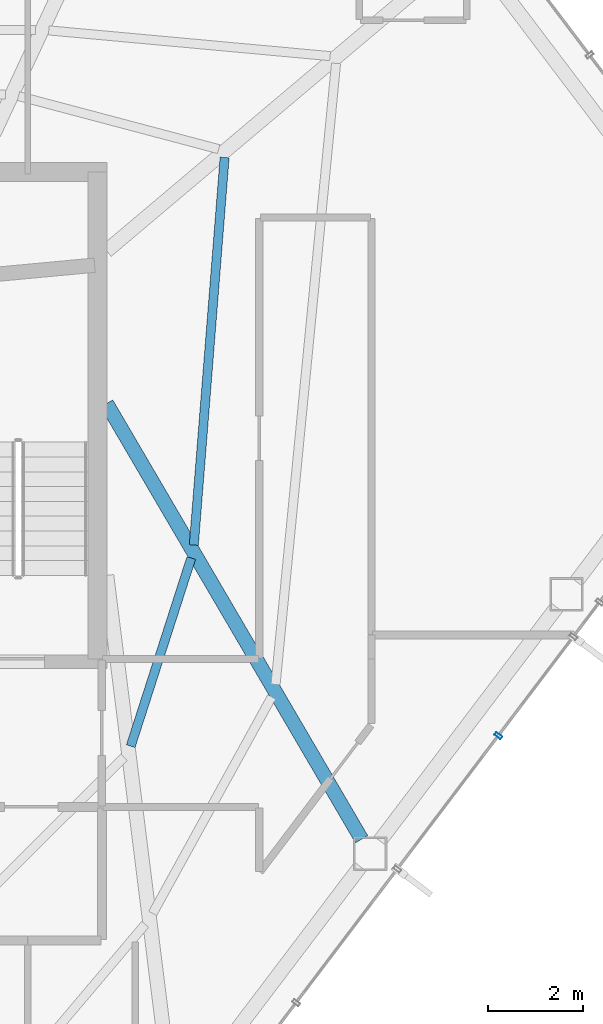
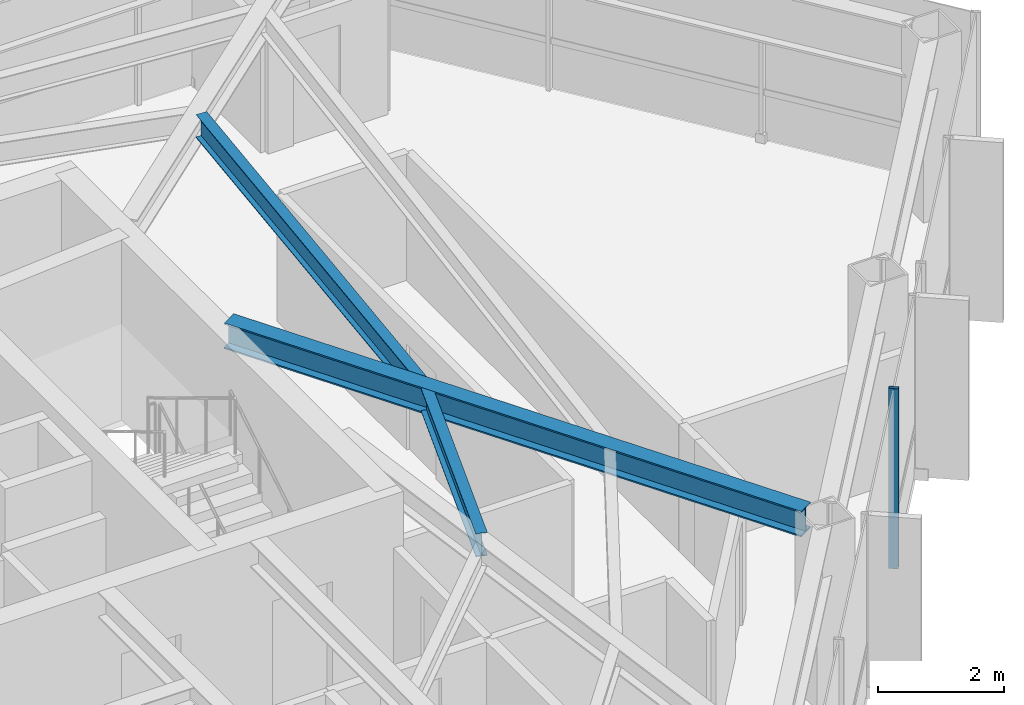
# One storey, part 19 of 28: 3 beams, 1 member, 1 element without a shape of its own.
"""IFC4 building model written with IfcOpenShell, lengths in metres."""

from ifc_helpers import new_model, si_unit, direction, frame, origin, origin_2d, place, context, subcontext, project, spatial, hollow_rectangle, i_section, extrude, material, layer, layer_set, material_profile, profile_set, type_object, element, aggregate, save


model = new_model("IFC4")

# Units and contexts
model_context = context("Model", 3, precision=1e-05, world=origin(), true_north=direction((0.0, 1.0)))
body_context = subcontext(model_context, "Body", "Model", "MODEL_VIEW")
ifc_project = project(units=[si_unit("LENGTHUNIT", "METRE"), si_unit("AREAUNIT", "SQUARE_METRE"), si_unit("VOLUMEUNIT", "CUBIC_METRE"), si_unit("PLANEANGLEUNIT", "RADIAN"), si_unit("MASSUNIT", "GRAM", prefix="KILO")], contexts=[model_context])

# Site, building, storey
site_placement = place(None, origin())
site = spatial("IfcSite", under=ifc_project, at=site_placement, CompositionType="ELEMENT")
building_placement = place(site_placement, origin())
building = spatial("IfcBuilding", under=site, at=building_placement, Name="Zarrinselat Tower", CompositionType="ELEMENT")
storey_placement = place(building_placement, frame((0.0, 0.0, 168.300048828125)))
storey = spatial("IfcBuildingStorey", under=building, at=storey_placement, Name="L41", CompositionType="ELEMENT", Elevation=168.300048828125)

# Beams
ifc_material_1 = material(Name="Steel S355J2", Category="steel")
ifc_material_profile_1 = material_profile(ifc_material_1, i_section(OverallWidth=0.300048828125, OverallDepth=0.5, WebThickness=0.014404296875, FlangeThickness=0.028076171875, at=origin_2d()), Name="HEB 500")
ifc_profile_set_1 = profile_set([ifc_material_profile_1], Name="Steel S355J2")
beam_type_1 = type_object("IfcBeamType", Name="BM-HEB500", PredefinedType="BEAM", material=ifc_profile_set_1)
beam_1_placement = place(storey_placement, frame((48.449951171875, 38.60009765625, 3.25), z_axis=(0.505160750965, -0.863025269436, 0.0), x_axis=(0.863025269436, 0.505160750965, 0.0)))
element("IfcBeam", 1, at=beam_1_placement, inside=storey, type_object=beam_type_1, Name="L41 Radial Primary Girder RG13", PredefinedType="BEAM", context=body_context, shape_type="SweptSolid", body=[
    extrude(i_section(OverallWidth=0.300048828125, OverallDepth=0.5, WebThickness=0.014404296875, FlangeThickness=0.028076171875, at=origin_2d()), origin(), (0.0, 0.0, 1.0), 10.576416015625),
])
ifc_material_2 = material(Name="Steel S355J2", Category="steel")
ifc_material_profile_2 = material_profile(ifc_material_2, i_section(OverallWidth=0.18994140625, OverallDepth=0.449951171875, WebThickness=0.009521484375, FlangeThickness=0.0146484375, at=origin_2d()), Name="IPE 450")
ifc_profile_set_2 = profile_set([ifc_material_profile_2], Name="Steel S355J2")
beam_type_2 = type_object("IfcBeamType", Name="BM-IPE450", PredefinedType="JOIST", material=ifc_profile_set_2)
beam_2_placement = place(storey_placement, frame((48.955810546875, 31.422119140625, 3.27490234375), z_axis=(0.306232509033, 0.951956748183, 0.0), x_axis=(-0.951956748183, 0.306232509033, 0.0)))
element("IfcBeam", 2, at=beam_2_placement, inside=storey, type_object=beam_type_2, Name="L41 Composite Floor Joist 4-2", PredefinedType="JOIST", context=body_context, shape_type="SweptSolid", body=[
    extrude(i_section(OverallWidth=0.18994140625, OverallDepth=0.449951171875, WebThickness=0.009521484375, FlangeThickness=0.0146484375, at=origin_2d()), origin(), (0.0, 0.0, 1.0), 4.14013671875),
])
beam_3_placement = place(storey_placement, frame((50.277587890625, 35.635986328125, 3.27490234375), z_axis=(0.079190056369, 0.99685953623, 0.0), x_axis=(-0.99685953623, 0.079190056369, 0.0)))
element("IfcBeam", 3, at=beam_3_placement, inside=storey, type_object=beam_type_2, Name="L41 Composite Floor Joist 5-2", PredefinedType="JOIST", context=body_context, shape_type="SweptSolid", body=[
    extrude(i_section(OverallWidth=0.18994140625, OverallDepth=0.449951171875, WebThickness=0.009521484375, FlangeThickness=0.0146484375, at=origin_2d()), origin(), (0.0, 0.0, 1.0), 8.145263671875),
])

# Curtain wall, member
ifc_material_3 = material(Name="Extruded Aluminium Alloy EN AW-6063 T6", Category="aluminium")
ifc_layer = layer(ifc_material_3, 0.175048828125)
ifc_layer_set = layer_set([ifc_layer], Name="Extruded Aluminium Alloy EN AW-6063 T6")
curtain_wall_type = type_object("IfcCurtainWallType", Name="CWS-HTL", PredefinedType="NOTDEFINED", material=ifc_layer_set)
curtain_wall_placement = place(storey_placement, origin())
curtain_wall = element("IfcCurtainWall", 4, at=curtain_wall_placement, inside=storey, type_object=curtain_wall_type, Name="L41 Unitised Curtain Wall CW-L41-E05", PredefinedType="NOTDEFINED")
ifc_material_4 = material(Name="Extruded Aluminium Alloy EN AW-6063 T6", Category="aluminium")
ifc_material_profile_3 = material_profile(ifc_material_4, hollow_rectangle(XDim=0.070068359375, YDim=0.159912109375, WallThickness=0.00390625, at=origin_2d()), Name="RHS 160x70x4")
ifc_profile_set_3 = profile_set([ifc_material_profile_3], Name="Extruded Aluminium Alloy EN AW-6063 T6")
member_type = type_object("IfcMemberType", Name="MEM-CW-MUL2", PredefinedType="MULLION", material=ifc_profile_set_3)
member_placement = place(storey_placement, frame((56.6591796875, 31.64111328125, 0.0), z_axis=(0.0, 0.0, 1.0), x_axis=(0.603858853713, 0.797091265033, 0.0)))
member = element("IfcMember", 5, at=member_placement, type_object=member_type, Name="CW-L41-E05 Mullion 6", PredefinedType="MULLION", context=body_context, shape_type="SweptSolid", body=[
    extrude(hollow_rectangle(XDim=0.070068359375, YDim=0.159912109375, WallThickness=0.00390625, at=origin_2d()), origin(), (0.0, 0.0, 1.0), 3.5),
])
aggregate(curtain_wall, [member])

save(model, "model.ifc")
